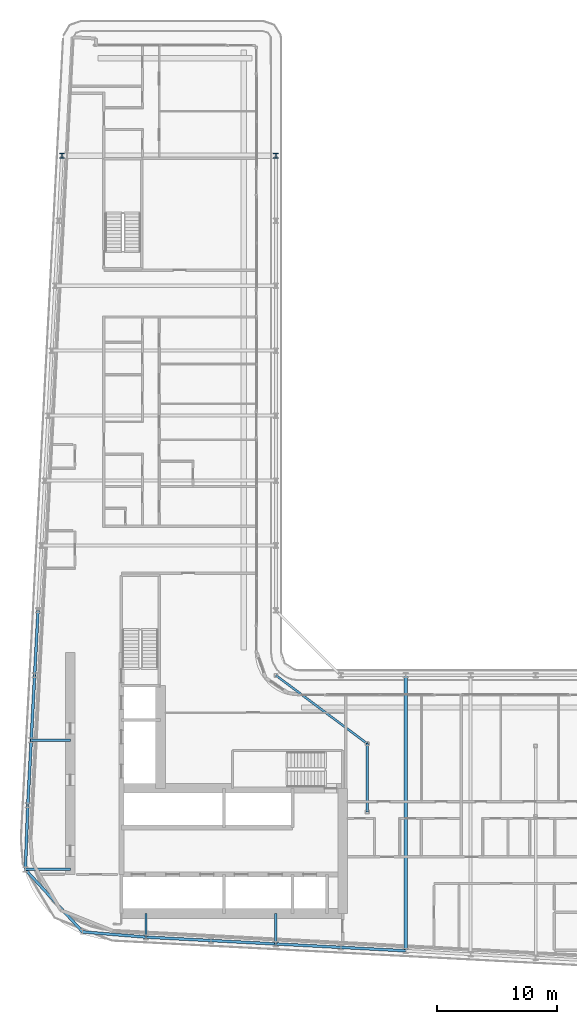
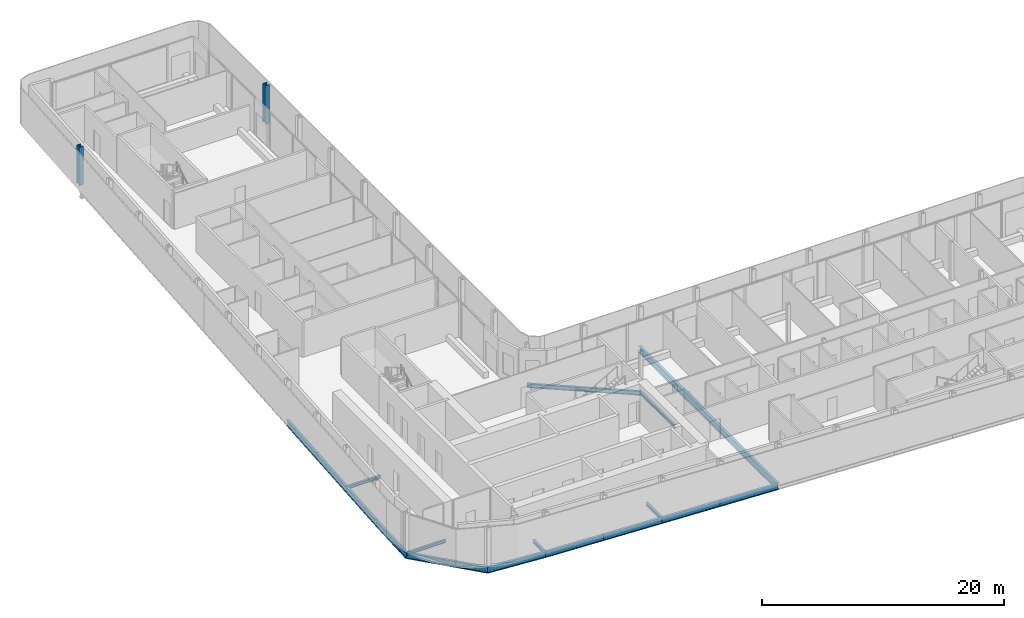
# One storey, part 5 of 29: 17 beams, 2 columns.
"""IFC4 building model written with IfcOpenShell, lengths in metres."""

from ifc_helpers import new_model, si_unit, direction, frame, origin, origin_2d, place, context, subcontext, project, spatial, i_section, extrude, material, material_profile, profile_set, type_object, element, save


model = new_model("IFC4")

# Units and contexts
model_context = context("Model", 3, precision=1e-05, world=origin(), true_north=direction((0.0, 1.0)))
body_context = subcontext(model_context, "Body", "Model", "MODEL_VIEW")
ifc_project = project(units=[si_unit("LENGTHUNIT", "METRE"), si_unit("AREAUNIT", "SQUARE_METRE"), si_unit("VOLUMEUNIT", "CUBIC_METRE"), si_unit("PLANEANGLEUNIT", "RADIAN"), si_unit("MASSUNIT", "GRAM", prefix="KILO")], contexts=[model_context])

# Site, building, storey
site_placement = place(None, origin())
site = spatial("IfcSite", under=ifc_project, at=site_placement, CompositionType="ELEMENT")
building_placement = place(site_placement, origin())
building = spatial("IfcBuilding", under=site, at=building_placement, Name="Kheshtan School and Residences Tower", CompositionType="ELEMENT")
storey_placement = place(building_placement, frame((0.0, 0.0, 168.199951171875)))
storey = spatial("IfcBuildingStorey", under=building, at=storey_placement, Name="L39", CompositionType="ELEMENT", Elevation=168.199951171875)

# Columns
ifc_material = material(Name="Steel ASTM A992 Grade 50", Category="steel")
ifc_material_profile_1 = material_profile(ifc_material, i_section(OverallWidth=0.408935546875, OverallDepth=0.425048828125, WebThickness=0.03271484375, FlangeThickness=0.052490234375, FilletRadius=0.0126953125, at=origin_2d()), Name="W360x421")
ifc_profile_set_1 = profile_set([ifc_material_profile_1], Name="Steel ASTM A992 Grade 50")
column_type = type_object("IfcColumnType", Name="Column C3 W360x421 ASTM A992 Grade 50", PredefinedType="COLUMN", material=ifc_profile_set_1)
for number, where, z_axis, x_axis, name in (
    (1, (29.81103515625, 88.800048828125, 0.0), (0.0, 0.0, 1.0), (1.0, 0.0, 0.0), "Column C098"),
    (2, (47.60009765625, 88.800048828125, 0.0), (0.0, 0.0, 1.0), (1.0, 0.0, 0.0), "Column C099"),
):
    element("IfcColumn", number, at=place(storey_placement, frame(where, z_axis=z_axis, x_axis=x_axis)), inside=storey, type_object=column_type, Name=name, PredefinedType="COLUMN", context=body_context, shape_type="SweptSolid", body=[
        extrude(i_section(OverallWidth=0.408935546875, OverallDepth=0.425048828125, WebThickness=0.03271484375, FlangeThickness=0.052490234375, FilletRadius=0.0126953125, at=origin_2d()), origin(), (0.0, 0.0, 1.0), 3.900146484375),
    ])

# Beams
ifc_material_profile_2 = material_profile(ifc_material, i_section(OverallWidth=0.202880859375, OverallDepth=0.302978515625, WebThickness=0.007568359375, FlangeThickness=0.01318359375, FilletRadius=0.009033203125, at=origin_2d()), Name="W310x60")
ifc_profile_set_2 = profile_set([ifc_material_profile_2], Name="Steel ASTM A992 Grade 50")
beam_type_1 = type_object("IfcBeamType", Name="Beam FB1 W310x60 ASTM A992 Grade 50", PredefinedType="BEAM", material=ifc_profile_set_2)
beam_1_placement = place(storey_placement, frame((47.60009765625, 23.263916015625, -0.301513671875), z_axis=(0.0, 1.0, 0.0), x_axis=(-1.0, 0.0, 0.0)))
element("IfcBeam", 3, at=beam_1_placement, inside=storey, type_object=beam_type_1, Name="Floor beam C020", PredefinedType="BEAM", context=body_context, shape_type="SweptSolid", body=[
    extrude(i_section(OverallWidth=0.202880859375, OverallDepth=0.302978515625, WebThickness=0.007568359375, FlangeThickness=0.01318359375, FilletRadius=0.009033203125, at=origin_2d()), origin(), (0.0, 0.0, 1.0), 2.5361328125),
])
beam_2_placement = place(storey_placement, frame((36.800048828125, 23.83203125, -0.301513671875), z_axis=(0.0, 1.0, 0.0), x_axis=(-1.0, 0.0, 0.0)))
element("IfcBeam", 4, at=beam_2_placement, inside=storey, type_object=beam_type_1, Name="Floor beam C022", PredefinedType="BEAM", context=body_context, shape_type="SweptSolid", body=[
    extrude(i_section(OverallWidth=0.202880859375, OverallDepth=0.302978515625, WebThickness=0.007568359375, FlangeThickness=0.01318359375, FilletRadius=0.009033203125, at=origin_2d()), origin(), (0.0, 0.0, 1.0), 1.968017578125),
])
beam_3_placement = place(storey_placement, frame((26.76611328125, 29.458984375, -0.301513671875), z_axis=(1.0, 0.0, 0.0), x_axis=(0.0, 1.0, 0.0)))
element("IfcBeam", 5, at=beam_3_placement, inside=storey, type_object=beam_type_1, Name="Floor beam C039", PredefinedType="BEAM", context=body_context, shape_type="SweptSolid", body=[
    extrude(i_section(OverallWidth=0.202880859375, OverallDepth=0.302978515625, WebThickness=0.007568359375, FlangeThickness=0.01318359375, FilletRadius=0.009033203125, at=origin_2d()), origin(), (0.0, 0.0, 1.0), 3.73388671875),
])
beam_4_placement = place(storey_placement, frame((27.2529296875, 40.199951171875, -0.301513671875), z_axis=(1.0, 0.0, 0.0), x_axis=(0.0, 1.0, 0.0)))
element("IfcBeam", 6, at=beam_4_placement, inside=storey, type_object=beam_type_1, Name="Floor beam C056", PredefinedType="BEAM", context=body_context, shape_type="SweptSolid", body=[
    extrude(i_section(OverallWidth=0.202880859375, OverallDepth=0.302978515625, WebThickness=0.007568359375, FlangeThickness=0.01318359375, FilletRadius=0.009033203125, at=origin_2d()), origin(), (0.0, 0.0, 1.0), 3.2470703125),
])
beam_5_placement = place(storey_placement, frame((55.199951171875, 34.23193359375, -0.301513671875), z_axis=(0.0, 1.0, 0.0), x_axis=(-1.0, 0.0, 0.0)))
element("IfcBeam", 7, at=beam_5_placement, inside=storey, type_object=beam_type_1, Name="Floor beam IC", PredefinedType="BEAM", context=body_context, shape_type="SweptSolid", body=[
    extrude(i_section(OverallWidth=0.202880859375, OverallDepth=0.302978515625, WebThickness=0.007568359375, FlangeThickness=0.01318359375, FilletRadius=0.009033203125, at=origin_2d()), origin(), (0.0, 0.0, 1.0), 5.68408203125),
])
ifc_material_profile_3 = material_profile(ifc_material, i_section(OverallWidth=0.180908203125, OverallDepth=0.4169921875, WebThickness=0.010986328125, FlangeThickness=0.018310546875, FilletRadius=0.012451171875, at=origin_2d()), Name="W410x85")
ifc_profile_set_3 = profile_set([ifc_material_profile_3], Name="Steel ASTM A992 Grade 50")
beam_type_2 = type_object("IfcBeamType", Name="Beam FB3 W410x85 ASTM A992 Grade 50", PredefinedType="BEAM", material=ifc_profile_set_3)
beam_6_placement = place(storey_placement, frame((47.60009765625, 45.60009765625, -0.3583984375), z_axis=(0.800798828004, -0.598933416222, 0.0), x_axis=(0.598933416222, 0.800798828004, 0.0)))
element("IfcBeam", 8, at=beam_6_placement, inside=storey, type_object=beam_type_2, Name="Floor beam IC", PredefinedType="BEAM", context=body_context, shape_type="SweptSolid", body=[
    extrude(i_section(OverallWidth=0.180908203125, OverallDepth=0.4169921875, WebThickness=0.010986328125, FlangeThickness=0.018310546875, FilletRadius=0.012451171875, at=origin_2d()), origin(), (0.0, 0.0, 1.0), 9.490234375),
])
ifc_material_profile_4 = material_profile(ifc_material, i_section(OverallWidth=0.2529296875, OverallDepth=0.677978515625, WebThickness=0.01171875, FlangeThickness=0.016357421875, FilletRadius=0.0146484375, at=origin_2d()), Name="W690x125")
ifc_profile_set_4 = profile_set([ifc_material_profile_4], Name="Steel ASTM A992 Grade 50")
beam_type_3 = type_object("IfcBeamType", Name="Beam FB6 W690x125 ASTM A992 Grade 50", PredefinedType="BEAM", material=ifc_profile_set_4)
beam_7_placement = place(storey_placement, frame((58.39990234375, 22.695068359375, -0.489013671875), z_axis=(0.0, 1.0, 0.0), x_axis=(-1.0, 0.0, 0.0)))
element("IfcBeam", 9, at=beam_7_placement, inside=storey, type_object=beam_type_3, Name="Floor beam C018", PredefinedType="BEAM", context=body_context, shape_type="SweptSolid", body=[
    extrude(i_section(OverallWidth=0.2529296875, OverallDepth=0.677978515625, WebThickness=0.01171875, FlangeThickness=0.016357421875, FilletRadius=0.0146484375, at=origin_2d()), origin(), (0.0, 0.0, 1.0), 22.905029296875),
])
ifc_material_profile_5 = material_profile(ifc_material, i_section(OverallWidth=0.22802734375, OverallDepth=0.60302734375, WebThickness=0.010498046875, FlangeThickness=0.014892578125, FilletRadius=0.013427734375, at=origin_2d()), Name="W610x101")
ifc_profile_set_5 = profile_set([ifc_material_profile_5], Name="Steel ASTM A992 Grade 50")
beam_type_4 = type_object("IfcBeamType", Name="Beam SP2 W610x101 ASTM A992 Grade 50", PredefinedType="BEAM", material=ifc_profile_set_5)
for number, where, z_axis, x_axis, name in (
    (10, (58.39990234375, 22.695068359375, -0.451416015625), (-0.998610961136, 0.052689166816, 0.0), (-0.052689166816, -0.998610961136, 0.0), "Spandrel beam C018-C019"),
    (11, (53.0, 22.97998046875, -0.451416015625), (-0.998620447272, 0.05250906864, 0.0), (-0.05250906864, -0.998620447272, 0.0), "Spandrel beam C019-C020"),
):
    element("IfcBeam", number, at=place(storey_placement, frame(where, z_axis=z_axis, x_axis=x_axis)), inside=storey, type_object=beam_type_4, Name=name, PredefinedType="BEAM", context=body_context, shape_type="SweptSolid", body=[
        extrude(i_section(OverallWidth=0.22802734375, OverallDepth=0.60302734375, WebThickness=0.010498046875, FlangeThickness=0.014892578125, FilletRadius=0.013427734375, at=origin_2d()), origin(), (0.0, 0.0, 1.0), 5.407470703125),
    ])
beam_8_placement = place(storey_placement, frame((47.60009765625, 23.263916015625, -0.451416015625), z_axis=(-0.998618203458, 0.052551724256, 0.0), x_axis=(-0.052551724256, -0.998618203458, 0.0)))
element("IfcBeam", 12, at=beam_8_placement, inside=storey, type_object=beam_type_4, Name="Spandrel beam C020-C021", PredefinedType="BEAM", context=body_context, shape_type="SweptSolid", body=[
    extrude(i_section(OverallWidth=0.22802734375, OverallDepth=0.60302734375, WebThickness=0.010498046875, FlangeThickness=0.014892578125, FilletRadius=0.013427734375, at=origin_2d()), origin(), (0.0, 0.0, 1.0), 5.40771484375),
])
beam_9_placement = place(storey_placement, frame((42.199951171875, 23.548095703125, -0.451416015625), z_axis=(-0.998620447272, 0.05250906864, 0.0), x_axis=(-0.05250906864, -0.998620447272, 0.0)))
element("IfcBeam", 13, at=beam_9_placement, inside=storey, type_object=beam_type_4, Name="Spandrel beam C021-C022", PredefinedType="BEAM", context=body_context, shape_type="SweptSolid", body=[
    extrude(i_section(OverallWidth=0.22802734375, OverallDepth=0.60302734375, WebThickness=0.010498046875, FlangeThickness=0.014892578125, FilletRadius=0.013427734375, at=origin_2d()), origin(), (0.0, 0.0, 1.0), 5.407470703125),
])
beam_10_placement = place(storey_placement, frame((36.800048828125, 23.83203125, -0.451416015625), z_axis=(-0.996622413395, 0.082120430578, 0.0), x_axis=(-0.082120430578, -0.996622413395, 0.0)))
element("IfcBeam", 14, at=beam_10_placement, inside=storey, type_object=beam_type_4, Name="Spandrel beam C022-C026", PredefinedType="BEAM", context=body_context, shape_type="SweptSolid", body=[
    extrude(i_section(OverallWidth=0.22802734375, OverallDepth=0.60302734375, WebThickness=0.010498046875, FlangeThickness=0.014892578125, FilletRadius=0.013427734375, at=origin_2d()), origin(), (0.0, 0.0, 1.0), 5.285888671875),
])
beam_11_placement = place(storey_placement, frame((31.531982421875, 24.26611328125, -0.451416015625), z_axis=(-0.676166826568, 0.736748547775, 0.0), x_axis=(-0.736748547775, -0.676166826568, 0.0)))
element("IfcBeam", 15, at=beam_11_placement, inside=storey, type_object=beam_type_4, Name="Spandrel beam C026-C039", PredefinedType="BEAM", context=body_context, shape_type="SweptSolid", body=[
    extrude(i_section(OverallWidth=0.22802734375, OverallDepth=0.60302734375, WebThickness=0.010498046875, FlangeThickness=0.014892578125, FilletRadius=0.013427734375, at=origin_2d()), origin(), (0.0, 0.0, 1.0), 7.04833984375),
])
beam_12_placement = place(storey_placement, frame((26.76611328125, 29.458984375, -0.451416015625), z_axis=(0.037957724389, 0.999279345908, 0.0), x_axis=(-0.999279345908, 0.037957724389, 0.0)))
element("IfcBeam", 16, at=beam_12_placement, inside=storey, type_object=beam_type_4, Name="Spandrel beam C039-C052", PredefinedType="BEAM", context=body_context, shape_type="SweptSolid", body=[
    extrude(i_section(OverallWidth=0.22802734375, OverallDepth=0.60302734375, WebThickness=0.010498046875, FlangeThickness=0.014892578125, FilletRadius=0.013427734375, at=origin_2d()), origin(), (0.0, 0.0, 1.0), 5.344970703125),
])
beam_13_placement = place(storey_placement, frame((26.968994140625, 34.800048828125, -0.451416015625), z_axis=(0.05250906864, 0.998620447272, 0.0), x_axis=(-0.998620447272, 0.05250906864, 0.0)))
element("IfcBeam", 17, at=beam_13_placement, inside=storey, type_object=beam_type_4, Name="Spandrel beam C052-C056", PredefinedType="BEAM", context=body_context, shape_type="SweptSolid", body=[
    extrude(i_section(OverallWidth=0.22802734375, OverallDepth=0.60302734375, WebThickness=0.010498046875, FlangeThickness=0.014892578125, FilletRadius=0.013427734375, at=origin_2d()), origin(), (0.0, 0.0, 1.0), 5.407470703125),
])
beam_14_placement = place(storey_placement, frame((27.2529296875, 40.199951171875, -0.451416015625), z_axis=(0.052551724256, 0.998618203458, 0.0), x_axis=(-0.998618203458, 0.052551724256, 0.0)))
element("IfcBeam", 18, at=beam_14_placement, inside=storey, type_object=beam_type_4, Name="Spandrel beam C056-C059", PredefinedType="BEAM", context=body_context, shape_type="SweptSolid", body=[
    extrude(i_section(OverallWidth=0.22802734375, OverallDepth=0.60302734375, WebThickness=0.010498046875, FlangeThickness=0.014892578125, FilletRadius=0.013427734375, at=origin_2d()), origin(), (0.0, 0.0, 1.0), 5.40771484375),
])
beam_15_placement = place(storey_placement, frame((27.537109375, 45.60009765625, -0.451416015625), z_axis=(0.052689166816, 0.998610961136, 0.0), x_axis=(-0.998610961136, 0.052689166816, 0.0)))
element("IfcBeam", 19, at=beam_15_placement, inside=storey, type_object=beam_type_4, Name="Spandrel beam C059-C078", PredefinedType="BEAM", context=body_context, shape_type="SweptSolid", body=[
    extrude(i_section(OverallWidth=0.22802734375, OverallDepth=0.60302734375, WebThickness=0.010498046875, FlangeThickness=0.014892578125, FilletRadius=0.013427734375, at=origin_2d()), origin(), (0.0, 0.0, 1.0), 5.407470703125),
])

save(model, "model.ifc")
